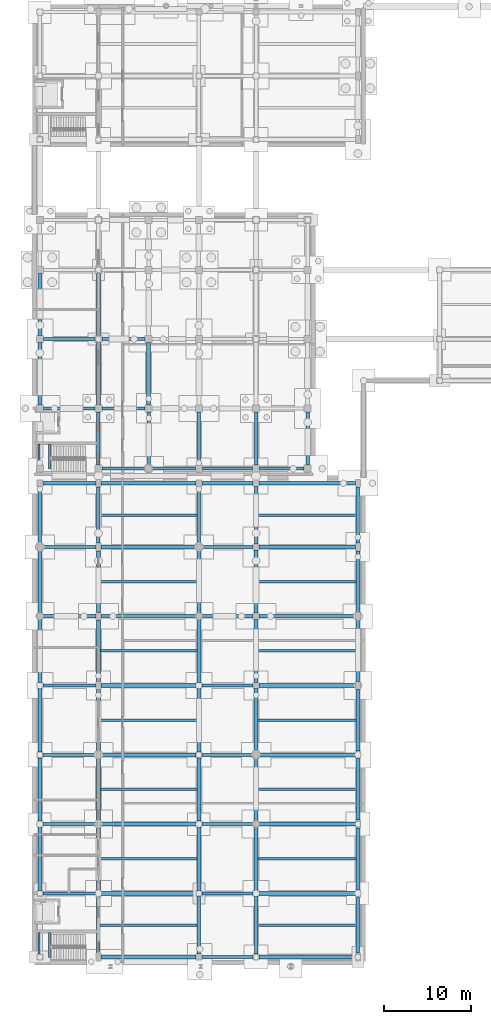
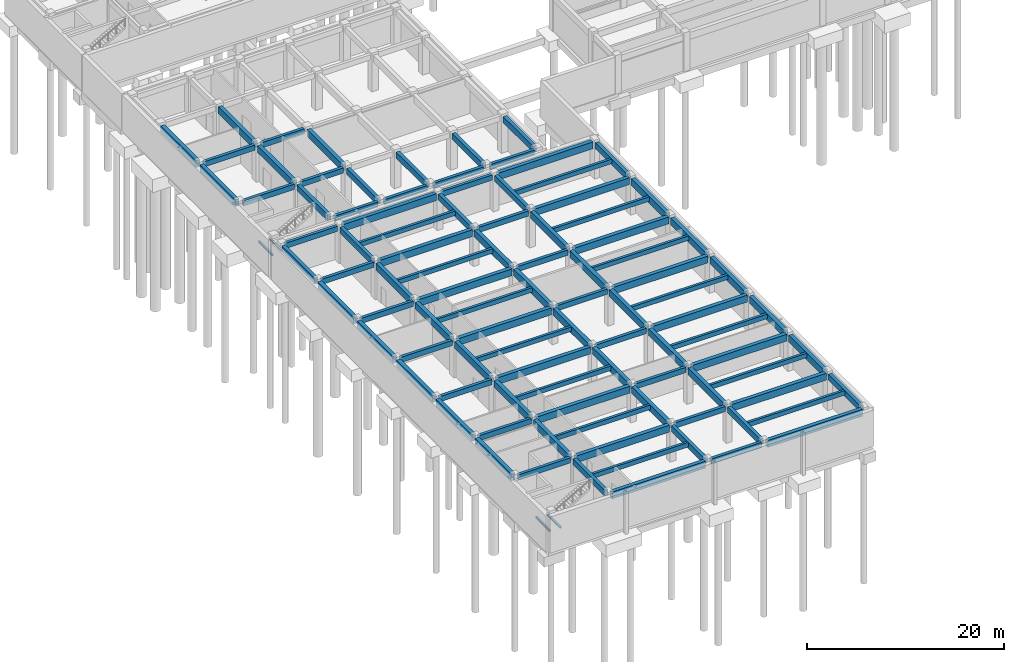
# One storey, part 16 of 35: 101 beams.
"""IFC4 building model written with IfcOpenShell, lengths in metres."""

from ifc_helpers import new_model, si_unit, direction, frame, origin, origin_2d, place, context, subcontext, project, spatial, rectangle, i_section, extrude, material, material_profile, profile_set, type_object, element, save


model = new_model("IFC4")

# Units and contexts
model_context = context("Model", 3, precision=1e-05, world=origin(), true_north=direction((0.0, 1.0)))
body_context = subcontext(model_context, "Body", "Model", "MODEL_VIEW")
ifc_project = project(units=[si_unit("LENGTHUNIT", "METRE"), si_unit("AREAUNIT", "SQUARE_METRE"), si_unit("VOLUMEUNIT", "CUBIC_METRE"), si_unit("PLANEANGLEUNIT", "RADIAN"), si_unit("MASSUNIT", "GRAM", prefix="KILO")], contexts=[model_context])

# Site, building, storey
site_placement = place(None, origin())
site = spatial("IfcSite", under=ifc_project, at=site_placement, CompositionType="ELEMENT")
building_placement = place(site_placement, origin())
building = spatial("IfcBuilding", under=site, at=building_placement, Name="Cinchona Park Media Centre", CompositionType="ELEMENT")
storey_placement = place(building_placement, frame((0.0, 0.0, -4.800048828125)))
storey = spatial("IfcBuildingStorey", under=building, at=storey_placement, Name="B1", CompositionType="ELEMENT", Elevation=-4.800048828125)

# Beams
ifc_material_1 = material(Name="Concrete C35/45", Category="concrete")
ifc_material_profile_1 = material_profile(ifc_material_1, rectangle(XDim=0.39990234375, YDim=0.75, at=origin_2d()), Name="RB 400X750")
ifc_profile_set_1 = profile_set([ifc_material_profile_1], Name="Concrete C35/45")
beam_type_1 = type_object("IfcBeamType", Name="BEAM-B01-RB400X750", PredefinedType="BEAM", material=ifc_profile_set_1)
beam_1_placement = place(storey_placement, frame((8.639892578125, 55.949951171875, 4.125), z_axis=(0.0, 1.0, 0.0), x_axis=(-1.0, 0.0, 0.0)))
element("IfcBeam", 1, at=beam_1_placement, inside=storey, type_object=beam_type_1, Name="Girder B01 B1", PredefinedType="BEAM", context=body_context, shape_type="SweptSolid", body=[
    extrude(rectangle(XDim=0.39990234375, YDim=0.75, at=origin_2d()), origin(), (0.0, 0.0, 1.0), 6.66015625),
])
for number, where, z_axis, x_axis, name in (
    (2, (15.39990234375, 8.68994140625, 4.125), (0.0, 1.0, 0.0), (-1.0, 0.0, 0.0), "Girder B01 B1"),
    (3, (15.39990234375, 56.050048828125, 4.125), (0.0, 1.0, 0.0), (-1.0, 0.0, 0.0), "Girder B01 B1"),
):
    element("IfcBeam", number, at=place(storey_placement, frame(where, z_axis=z_axis, x_axis=x_axis)), inside=storey, type_object=beam_type_1, Name=name, PredefinedType="BEAM", context=body_context, shape_type="SweptSolid", body=[
        extrude(rectangle(XDim=0.39990234375, YDim=0.75, at=origin_2d()), origin(), (0.0, 0.0, 1.0), 6.4599609375),
    ])
beam_2_placement = place(storey_placement, frame((27.0, 8.590087890625, 4.125), z_axis=(0.0, 1.0, 0.0), x_axis=(-1.0, 0.0, 0.0)))
element("IfcBeam", 4, at=beam_2_placement, inside=storey, type_object=beam_type_1, Name="Girder B01 B1", PredefinedType="BEAM", context=body_context, shape_type="SweptSolid", body=[
    extrude(rectangle(XDim=0.39990234375, YDim=0.75, at=origin_2d()), origin(), (0.0, 0.0, 1.0), 6.659912109375),
])
beam_3_placement = place(storey_placement, frame((27.0, 55.949951171875, 4.125), z_axis=(0.0, 1.0, 0.0), x_axis=(-1.0, 0.0, 0.0)))
element("IfcBeam", 5, at=beam_3_placement, inside=storey, type_object=beam_type_1, Name="Girder B01 B1", PredefinedType="BEAM", context=body_context, shape_type="SweptSolid", body=[
    extrude(rectangle(XDim=0.39990234375, YDim=0.75, at=origin_2d()), origin(), (0.0, 0.0, 1.0), 6.66015625),
])
beam_4_placement = place(storey_placement, frame((33.60009765625, 8.590087890625, 4.125), z_axis=(0.0, 1.0, 0.0), x_axis=(-1.0, 0.0, 0.0)))
element("IfcBeam", 6, at=beam_4_placement, inside=storey, type_object=beam_type_1, Name="Girder B01 B1", PredefinedType="BEAM", context=body_context, shape_type="SweptSolid", body=[
    extrude(rectangle(XDim=0.39990234375, YDim=0.75, at=origin_2d()), origin(), (0.0, 0.0, 1.0), 6.659912109375),
])
beam_5_placement = place(storey_placement, frame((33.60009765625, 55.949951171875, 4.125), z_axis=(0.0, 1.0, 0.0), x_axis=(-1.0, 0.0, 0.0)))
element("IfcBeam", 7, at=beam_5_placement, inside=storey, type_object=beam_type_1, Name="Girder B01 B1", PredefinedType="BEAM", context=body_context, shape_type="SweptSolid", body=[
    extrude(rectangle(XDim=0.39990234375, YDim=0.75, at=origin_2d()), origin(), (0.0, 0.0, 1.0), 6.66015625),
])
for number, where, z_axis, x_axis, name in (
    (8, (45.360107421875, 8.68994140625, 4.125), (0.0, 1.0, 0.0), (-1.0, 0.0, 0.0), "Girder B01 B1"),
    (9, (45.360107421875, 56.050048828125, 4.125), (0.0, 1.0, 0.0), (-1.0, 0.0, 0.0), "Girder B01 B1"),
):
    element("IfcBeam", number, at=place(storey_placement, frame(where, z_axis=z_axis, x_axis=x_axis)), inside=storey, type_object=beam_type_1, Name=name, PredefinedType="BEAM", context=body_context, shape_type="SweptSolid", body=[
        extrude(rectangle(XDim=0.39990234375, YDim=0.75, at=origin_2d()), origin(), (0.0, 0.0, 1.0), 6.4599609375),
    ])
for number, where, z_axis, x_axis, name in (
    (10, (15.39990234375, 65.0400390625, 4.125), (0.0, 1.0, 0.0), (-1.0, 0.0, 0.0), "Girder B01 B1"),
    (11, (21.199951171875, 65.0400390625, 4.125), (0.0, 1.0, 0.0), (-1.0, 0.0, 0.0), "Girder B01 B1"),
    (12, (27.0, 65.0400390625, 4.125), (0.0, 1.0, 0.0), (-1.0, 0.0, 0.0), "Girder B01 B1"),
    (13, (33.60009765625, 65.0400390625, 4.125), (0.0, 1.0, 0.0), (-1.0, 0.0, 0.0), "Girder B01 B1"),
    (14, (39.56005859375, 65.0400390625, 4.125), (0.0, 1.0, 0.0), (-1.0, 0.0, 0.0), "Girder B01 B1"),
):
    element("IfcBeam", number, at=place(storey_placement, frame(where, z_axis=z_axis, x_axis=x_axis)), inside=storey, type_object=beam_type_1, Name=name, PredefinedType="BEAM", context=body_context, shape_type="SweptSolid", body=[
        extrude(rectangle(XDim=0.39990234375, YDim=0.75, at=origin_2d()), origin(), (0.0, 0.0, 1.0), 6.159912109375),
    ])
ifc_material_2 = material(Name="Concrete C35/45", Category="concrete")
ifc_material_profile_2 = material_profile(ifc_material_2, rectangle(XDim=0.449951171875, YDim=0.85009765625, at=origin_2d()), Name="RB 450X850")
ifc_profile_set_2 = profile_set([ifc_material_profile_2], Name="Concrete C35/45")
beam_type_2 = type_object("IfcBeamType", Name="BEAM-B02-RB450X850", PredefinedType="BEAM", material=ifc_profile_set_2)
beam_6_placement = place(storey_placement, frame((15.699951171875, 8.239990234375, 4.074951171875), z_axis=(1.0, 0.0, 0.0), x_axis=(0.0, 1.0, 0.0)))
element("IfcBeam", 15, at=beam_6_placement, inside=storey, type_object=beam_type_2, Name="Beam B02 B1", PredefinedType="BEAM", context=body_context, shape_type="SweptSolid", body=[
    extrude(rectangle(XDim=0.449951171875, YDim=0.85009765625, at=origin_2d()), origin(), (0.0, 0.0, 1.0), 10.949951171875),
])
beam_7_placement = place(storey_placement, frame((33.949951171875, 8.239990234375, 4.074951171875), z_axis=(1.0, 0.0, 0.0), x_axis=(0.0, 1.0, 0.0)))
element("IfcBeam", 16, at=beam_7_placement, inside=storey, type_object=beam_type_2, Name="Beam B02 B1", PredefinedType="BEAM", context=body_context, shape_type="SweptSolid", body=[
    extrude(rectangle(XDim=0.449951171875, YDim=0.85009765625, at=origin_2d()), origin(), (0.0, 0.0, 1.0), 11.110107421875),
])
beam_8_placement = place(storey_placement, frame((15.699951171875, 15.60009765625, 4.074951171875), z_axis=(1.0, 0.0, 0.0), x_axis=(0.0, 1.0, 0.0)))
element("IfcBeam", 17, at=beam_8_placement, inside=storey, type_object=beam_type_2, Name="Beam B02 B1", PredefinedType="BEAM", context=body_context, shape_type="SweptSolid", body=[
    extrude(rectangle(XDim=0.449951171875, YDim=0.85009765625, at=origin_2d()), origin(), (0.0, 0.0, 1.0), 10.949951171875),
])
beam_9_placement = place(storey_placement, frame((33.949951171875, 15.60009765625, 4.074951171875), z_axis=(1.0, 0.0, 0.0), x_axis=(0.0, 1.0, 0.0)))
element("IfcBeam", 18, at=beam_9_placement, inside=storey, type_object=beam_type_2, Name="Beam B02 B1", PredefinedType="BEAM", context=body_context, shape_type="SweptSolid", body=[
    extrude(rectangle(XDim=0.449951171875, YDim=0.85009765625, at=origin_2d()), origin(), (0.0, 0.0, 1.0), 11.110107421875),
])
beam_10_placement = place(storey_placement, frame((15.699951171875, 23.60009765625, 4.074951171875), z_axis=(1.0, 0.0, 0.0), x_axis=(0.0, 1.0, 0.0)))
element("IfcBeam", 19, at=beam_10_placement, inside=storey, type_object=beam_type_2, Name="Beam B02 B1", PredefinedType="BEAM", context=body_context, shape_type="SweptSolid", body=[
    extrude(rectangle(XDim=0.449951171875, YDim=0.85009765625, at=origin_2d()), origin(), (0.0, 0.0, 1.0), 10.949951171875),
])
beam_11_placement = place(storey_placement, frame((33.949951171875, 23.60009765625, 4.074951171875), z_axis=(1.0, 0.0, 0.0), x_axis=(0.0, 1.0, 0.0)))
element("IfcBeam", 20, at=beam_11_placement, inside=storey, type_object=beam_type_2, Name="Beam B02 B1", PredefinedType="BEAM", context=body_context, shape_type="SweptSolid", body=[
    extrude(rectangle(XDim=0.449951171875, YDim=0.85009765625, at=origin_2d()), origin(), (0.0, 0.0, 1.0), 11.110107421875),
])
beam_12_placement = place(storey_placement, frame((15.699951171875, 31.60009765625, 4.074951171875), z_axis=(1.0, 0.0, 0.0), x_axis=(0.0, 1.0, 0.0)))
element("IfcBeam", 21, at=beam_12_placement, inside=storey, type_object=beam_type_2, Name="Beam B02 B1", PredefinedType="BEAM", context=body_context, shape_type="SweptSolid", body=[
    extrude(rectangle(XDim=0.449951171875, YDim=0.85009765625, at=origin_2d()), origin(), (0.0, 0.0, 1.0), 10.949951171875),
])
beam_13_placement = place(storey_placement, frame((33.949951171875, 31.60009765625, 4.074951171875), z_axis=(1.0, 0.0, 0.0), x_axis=(0.0, 1.0, 0.0)))
element("IfcBeam", 22, at=beam_13_placement, inside=storey, type_object=beam_type_2, Name="Beam B02 B1", PredefinedType="BEAM", context=body_context, shape_type="SweptSolid", body=[
    extrude(rectangle(XDim=0.449951171875, YDim=0.85009765625, at=origin_2d()), origin(), (0.0, 0.0, 1.0), 11.110107421875),
])
beam_14_placement = place(storey_placement, frame((15.699951171875, 39.60009765625, 4.074951171875), z_axis=(1.0, 0.0, 0.0), x_axis=(0.0, 1.0, 0.0)))
element("IfcBeam", 23, at=beam_14_placement, inside=storey, type_object=beam_type_2, Name="Beam B02 B1", PredefinedType="BEAM", context=body_context, shape_type="SweptSolid", body=[
    extrude(rectangle(XDim=0.449951171875, YDim=0.85009765625, at=origin_2d()), origin(), (0.0, 0.0, 1.0), 10.949951171875),
])
beam_15_placement = place(storey_placement, frame((33.949951171875, 39.60009765625, 4.074951171875), z_axis=(1.0, 0.0, 0.0), x_axis=(0.0, 1.0, 0.0)))
element("IfcBeam", 24, at=beam_15_placement, inside=storey, type_object=beam_type_2, Name="Beam B02 B1", PredefinedType="BEAM", context=body_context, shape_type="SweptSolid", body=[
    extrude(rectangle(XDim=0.449951171875, YDim=0.85009765625, at=origin_2d()), origin(), (0.0, 0.0, 1.0), 11.110107421875),
])
beam_16_placement = place(storey_placement, frame((15.699951171875, 47.60009765625, 4.074951171875), z_axis=(1.0, 0.0, 0.0), x_axis=(0.0, 1.0, 0.0)))
element("IfcBeam", 25, at=beam_16_placement, inside=storey, type_object=beam_type_2, Name="Beam B02 B1", PredefinedType="BEAM", context=body_context, shape_type="SweptSolid", body=[
    extrude(rectangle(XDim=0.449951171875, YDim=0.85009765625, at=origin_2d()), origin(), (0.0, 0.0, 1.0), 10.949951171875),
])
beam_17_placement = place(storey_placement, frame((33.949951171875, 47.60009765625, 4.074951171875), z_axis=(1.0, 0.0, 0.0), x_axis=(0.0, 1.0, 0.0)))
element("IfcBeam", 26, at=beam_17_placement, inside=storey, type_object=beam_type_2, Name="Beam B02 B1", PredefinedType="BEAM", context=body_context, shape_type="SweptSolid", body=[
    extrude(rectangle(XDim=0.449951171875, YDim=0.85009765625, at=origin_2d()), origin(), (0.0, 0.0, 1.0), 11.110107421875),
])
beam_18_placement = place(storey_placement, frame((15.699951171875, 55.60009765625, 4.074951171875), z_axis=(1.0, 0.0, 0.0), x_axis=(0.0, 1.0, 0.0)))
element("IfcBeam", 27, at=beam_18_placement, inside=storey, type_object=beam_type_2, Name="Beam B02 B1", PredefinedType="BEAM", context=body_context, shape_type="SweptSolid", body=[
    extrude(rectangle(XDim=0.449951171875, YDim=0.85009765625, at=origin_2d()), origin(), (0.0, 0.0, 1.0), 10.949951171875),
])
beam_19_placement = place(storey_placement, frame((33.949951171875, 55.60009765625, 4.074951171875), z_axis=(1.0, 0.0, 0.0), x_axis=(0.0, 1.0, 0.0)))
element("IfcBeam", 28, at=beam_19_placement, inside=storey, type_object=beam_type_2, Name="Beam B02 B1", PredefinedType="BEAM", context=body_context, shape_type="SweptSolid", body=[
    extrude(rectangle(XDim=0.449951171875, YDim=0.85009765625, at=origin_2d()), origin(), (0.0, 0.0, 1.0), 11.110107421875),
])
beam_20_placement = place(storey_placement, frame((15.699951171875, 62.9599609375, 4.074951171875), z_axis=(1.0, 0.0, 0.0), x_axis=(0.0, 1.0, 0.0)))
element("IfcBeam", 29, at=beam_20_placement, inside=storey, type_object=beam_type_2, Name="Beam B02 B1", PredefinedType="BEAM", context=body_context, shape_type="SweptSolid", body=[
    extrude(rectangle(XDim=0.449951171875, YDim=0.85009765625, at=origin_2d()), origin(), (0.0, 0.0, 1.0), 10.949951171875),
])
beam_21_placement = place(storey_placement, frame((33.949951171875, 62.9599609375, 4.074951171875), z_axis=(1.0, 0.0, 0.0), x_axis=(0.0, 1.0, 0.0)))
element("IfcBeam", 30, at=beam_21_placement, inside=storey, type_object=beam_type_2, Name="Beam B02 B1", PredefinedType="BEAM", context=body_context, shape_type="SweptSolid", body=[
    extrude(rectangle(XDim=0.449951171875, YDim=0.85009765625, at=origin_2d()), origin(), (0.0, 0.0, 1.0), 11.110107421875),
])
for number, where, z_axis, x_axis, name in (
    (31, (8.639892578125, 15.949951171875, 4.074951171875), (0.0, 1.0, 0.0), (-1.0, 0.0, 0.0), "Girder B02 B1"),
    (32, (8.639892578125, 23.949951171875, 4.074951171875), (0.0, 1.0, 0.0), (-1.0, 0.0, 0.0), "Girder B02 B1"),
    (33, (8.639892578125, 31.949951171875, 4.074951171875), (0.0, 1.0, 0.0), (-1.0, 0.0, 0.0), "Girder B02 B1"),
    (34, (8.639892578125, 39.949951171875, 4.074951171875), (0.0, 1.0, 0.0), (-1.0, 0.0, 0.0), "Girder B02 B1"),
    (35, (8.639892578125, 47.949951171875, 4.074951171875), (0.0, 1.0, 0.0), (-1.0, 0.0, 0.0), "Girder B02 B1"),
):
    element("IfcBeam", number, at=place(storey_placement, frame(where, z_axis=z_axis, x_axis=x_axis)), inside=storey, type_object=beam_type_2, Name=name, PredefinedType="BEAM", context=body_context, shape_type="SweptSolid", body=[
        extrude(rectangle(XDim=0.449951171875, YDim=0.85009765625, at=origin_2d()), origin(), (0.0, 0.0, 1.0), 7.300048828125),
    ])
for number, where, z_axis, x_axis, name in (
    (36, (15.39990234375, 16.050048828125, 4.074951171875), (0.0, 1.0, 0.0), (-1.0, 0.0, 0.0), "Girder B02 B1"),
    (37, (15.39990234375, 24.050048828125, 4.074951171875), (0.0, 1.0, 0.0), (-1.0, 0.0, 0.0), "Girder B02 B1"),
    (38, (15.39990234375, 32.050048828125, 4.074951171875), (0.0, 1.0, 0.0), (-1.0, 0.0, 0.0), "Girder B02 B1"),
    (39, (15.39990234375, 40.050048828125, 4.074951171875), (0.0, 1.0, 0.0), (-1.0, 0.0, 0.0), "Girder B02 B1"),
    (40, (15.39990234375, 48.050048828125, 4.074951171875), (0.0, 1.0, 0.0), (-1.0, 0.0, 0.0), "Girder B02 B1"),
):
    element("IfcBeam", number, at=place(storey_placement, frame(where, z_axis=z_axis, x_axis=x_axis)), inside=storey, type_object=beam_type_2, Name=name, PredefinedType="BEAM", context=body_context, shape_type="SweptSolid", body=[
        extrude(rectangle(XDim=0.449951171875, YDim=0.85009765625, at=origin_2d()), origin(), (0.0, 0.0, 1.0), 7.099853515625),
    ])
for number, where, z_axis, x_axis, name in (
    (41, (27.0, 15.949951171875, 4.074951171875), (0.0, 1.0, 0.0), (-1.0, 0.0, 0.0), "Girder B02 B1"),
    (42, (27.0, 23.949951171875, 4.074951171875), (0.0, 1.0, 0.0), (-1.0, 0.0, 0.0), "Girder B02 B1"),
    (43, (27.0, 31.949951171875, 4.074951171875), (0.0, 1.0, 0.0), (-1.0, 0.0, 0.0), "Girder B02 B1"),
    (44, (27.0, 39.949951171875, 4.074951171875), (0.0, 1.0, 0.0), (-1.0, 0.0, 0.0), "Girder B02 B1"),
    (45, (27.0, 47.949951171875, 4.074951171875), (0.0, 1.0, 0.0), (-1.0, 0.0, 0.0), "Girder B02 B1"),
    (46, (33.60009765625, 15.949951171875, 4.074951171875), (0.0, 1.0, 0.0), (-1.0, 0.0, 0.0), "Girder B02 B1"),
    (47, (33.60009765625, 23.949951171875, 4.074951171875), (0.0, 1.0, 0.0), (-1.0, 0.0, 0.0), "Girder B02 B1"),
    (48, (33.60009765625, 31.949951171875, 4.074951171875), (0.0, 1.0, 0.0), (-1.0, 0.0, 0.0), "Girder B02 B1"),
    (49, (33.60009765625, 39.949951171875, 4.074951171875), (0.0, 1.0, 0.0), (-1.0, 0.0, 0.0), "Girder B02 B1"),
    (50, (33.60009765625, 47.949951171875, 4.074951171875), (0.0, 1.0, 0.0), (-1.0, 0.0, 0.0), "Girder B02 B1"),
):
    element("IfcBeam", number, at=place(storey_placement, frame(where, z_axis=z_axis, x_axis=x_axis)), inside=storey, type_object=beam_type_2, Name=name, PredefinedType="BEAM", context=body_context, shape_type="SweptSolid", body=[
        extrude(rectangle(XDim=0.449951171875, YDim=0.85009765625, at=origin_2d()), origin(), (0.0, 0.0, 1.0), 7.300048828125),
    ])
for number, where, z_axis, x_axis, name in (
    (51, (45.360107421875, 16.050048828125, 4.074951171875), (0.0, 1.0, 0.0), (-1.0, 0.0, 0.0), "Girder B02 B1"),
    (52, (45.360107421875, 24.050048828125, 4.074951171875), (0.0, 1.0, 0.0), (-1.0, 0.0, 0.0), "Girder B02 B1"),
    (53, (45.360107421875, 32.050048828125, 4.074951171875), (0.0, 1.0, 0.0), (-1.0, 0.0, 0.0), "Girder B02 B1"),
    (54, (45.360107421875, 40.050048828125, 4.074951171875), (0.0, 1.0, 0.0), (-1.0, 0.0, 0.0), "Girder B02 B1"),
    (55, (45.360107421875, 48.050048828125, 4.074951171875), (0.0, 1.0, 0.0), (-1.0, 0.0, 0.0), "Girder B02 B1"),
):
    element("IfcBeam", number, at=place(storey_placement, frame(where, z_axis=z_axis, x_axis=x_axis)), inside=storey, type_object=beam_type_2, Name=name, PredefinedType="BEAM", context=body_context, shape_type="SweptSolid", body=[
        extrude(rectangle(XDim=0.449951171875, YDim=0.85009765625, at=origin_2d()), origin(), (0.0, 0.0, 1.0), 7.099853515625),
    ])
for number, where, z_axis, x_axis, name in (
    (56, (8.639892578125, 72.0, 4.074951171875), (0.0, 1.0, 0.0), (-1.0, 0.0, 0.0), "Girder B02 B1"),
    (57, (8.639892578125, 80.0, 4.074951171875), (0.0, 1.0, 0.0), (-1.0, 0.0, 0.0), "Girder B02 B1"),
    (58, (15.39990234375, 72.0, 4.074951171875), (0.0, 1.0, 0.0), (-1.0, 0.0, 0.0), "Girder B02 B1"),
    (59, (15.39990234375, 80.0, 4.074951171875), (0.0, 1.0, 0.0), (-1.0, 0.0, 0.0), "Girder B02 B1"),
    (60, (21.199951171875, 72.0, 4.074951171875), (0.0, 1.0, 0.0), (-1.0, 0.0, 0.0), "Girder B02 B1"),
):
    element("IfcBeam", number, at=place(storey_placement, frame(where, z_axis=z_axis, x_axis=x_axis)), inside=storey, type_object=beam_type_2, Name=name, PredefinedType="BEAM", context=body_context, shape_type="SweptSolid", body=[
        extrude(rectangle(XDim=0.449951171875, YDim=0.85009765625, at=origin_2d()), origin(), (0.0, 0.0, 1.0), 7.199951171875),
    ])
ifc_material_3 = material(Name="Concrete C35/45", Category="concrete")
ifc_material_profile_3 = material_profile(ifc_material_3, rectangle(XDim=0.35009765625, YDim=0.64990234375, at=origin_2d()), Name="RB 350X650")
ifc_profile_set_3 = profile_set([ifc_material_profile_3], Name="Concrete C35/45")
beam_type_3 = type_object("IfcBeamType", Name="BEAM-B04-RB350X650", PredefinedType="BEAM", material=ifc_profile_set_3)
beam_22_placement = place(storey_placement, frame((27.35009765625, 8.239990234375, 4.175048828125), z_axis=(1.0, 0.0, 0.0), x_axis=(0.0, 1.0, 0.0)))
element("IfcBeam", 61, at=beam_22_placement, inside=storey, type_object=beam_type_3, Name="Beam B04 B1", PredefinedType="BEAM", context=body_context, shape_type="SweptSolid", body=[
    extrude(rectangle(XDim=0.35009765625, YDim=0.64990234375, at=origin_2d()), origin(), (0.0, 0.0, 1.0), 5.89990234375),
])
beam_23_placement = place(storey_placement, frame((8.989990234375, 15.60009765625, 4.175048828125), z_axis=(1.0, 0.0, 0.0), x_axis=(0.0, 1.0, 0.0)))
element("IfcBeam", 62, at=beam_23_placement, inside=storey, type_object=beam_type_3, Name="Beam B04 B1", PredefinedType="BEAM", context=body_context, shape_type="SweptSolid", body=[
    extrude(rectangle(XDim=0.35009765625, YDim=0.64990234375, at=origin_2d()), origin(), (0.0, 0.0, 1.0), 6.110107421875),
])
beam_24_placement = place(storey_placement, frame((27.35009765625, 15.60009765625, 4.175048828125), z_axis=(1.0, 0.0, 0.0), x_axis=(0.0, 1.0, 0.0)))
element("IfcBeam", 63, at=beam_24_placement, inside=storey, type_object=beam_type_3, Name="Beam B04 B1", PredefinedType="BEAM", context=body_context, shape_type="SweptSolid", body=[
    extrude(rectangle(XDim=0.35009765625, YDim=0.64990234375, at=origin_2d()), origin(), (0.0, 0.0, 1.0), 5.89990234375),
])
beam_25_placement = place(storey_placement, frame((8.989990234375, 23.60009765625, 4.175048828125), z_axis=(1.0, 0.0, 0.0), x_axis=(0.0, 1.0, 0.0)))
element("IfcBeam", 64, at=beam_25_placement, inside=storey, type_object=beam_type_3, Name="Beam B04 B1", PredefinedType="BEAM", context=body_context, shape_type="SweptSolid", body=[
    extrude(rectangle(XDim=0.35009765625, YDim=0.64990234375, at=origin_2d()), origin(), (0.0, 0.0, 1.0), 6.110107421875),
])
beam_26_placement = place(storey_placement, frame((27.35009765625, 23.60009765625, 4.175048828125), z_axis=(1.0, 0.0, 0.0), x_axis=(0.0, 1.0, 0.0)))
element("IfcBeam", 65, at=beam_26_placement, inside=storey, type_object=beam_type_3, Name="Beam B04 B1", PredefinedType="BEAM", context=body_context, shape_type="SweptSolid", body=[
    extrude(rectangle(XDim=0.35009765625, YDim=0.64990234375, at=origin_2d()), origin(), (0.0, 0.0, 1.0), 5.89990234375),
])
beam_27_placement = place(storey_placement, frame((8.989990234375, 31.60009765625, 4.175048828125), z_axis=(1.0, 0.0, 0.0), x_axis=(0.0, 1.0, 0.0)))
element("IfcBeam", 66, at=beam_27_placement, inside=storey, type_object=beam_type_3, Name="Beam B04 B1", PredefinedType="BEAM", context=body_context, shape_type="SweptSolid", body=[
    extrude(rectangle(XDim=0.35009765625, YDim=0.64990234375, at=origin_2d()), origin(), (0.0, 0.0, 1.0), 6.110107421875),
])
beam_28_placement = place(storey_placement, frame((27.35009765625, 31.60009765625, 4.175048828125), z_axis=(1.0, 0.0, 0.0), x_axis=(0.0, 1.0, 0.0)))
element("IfcBeam", 67, at=beam_28_placement, inside=storey, type_object=beam_type_3, Name="Beam B04 B1", PredefinedType="BEAM", context=body_context, shape_type="SweptSolid", body=[
    extrude(rectangle(XDim=0.35009765625, YDim=0.64990234375, at=origin_2d()), origin(), (0.0, 0.0, 1.0), 5.89990234375),
])
beam_29_placement = place(storey_placement, frame((8.989990234375, 39.60009765625, 4.175048828125), z_axis=(1.0, 0.0, 0.0), x_axis=(0.0, 1.0, 0.0)))
element("IfcBeam", 68, at=beam_29_placement, inside=storey, type_object=beam_type_3, Name="Beam B04 B1", PredefinedType="BEAM", context=body_context, shape_type="SweptSolid", body=[
    extrude(rectangle(XDim=0.35009765625, YDim=0.64990234375, at=origin_2d()), origin(), (0.0, 0.0, 1.0), 6.110107421875),
])
beam_30_placement = place(storey_placement, frame((27.35009765625, 39.60009765625, 4.175048828125), z_axis=(1.0, 0.0, 0.0), x_axis=(0.0, 1.0, 0.0)))
element("IfcBeam", 69, at=beam_30_placement, inside=storey, type_object=beam_type_3, Name="Beam B04 B1", PredefinedType="BEAM", context=body_context, shape_type="SweptSolid", body=[
    extrude(rectangle(XDim=0.35009765625, YDim=0.64990234375, at=origin_2d()), origin(), (0.0, 0.0, 1.0), 5.89990234375),
])
beam_31_placement = place(storey_placement, frame((8.989990234375, 47.60009765625, 4.175048828125), z_axis=(1.0, 0.0, 0.0), x_axis=(0.0, 1.0, 0.0)))
element("IfcBeam", 70, at=beam_31_placement, inside=storey, type_object=beam_type_3, Name="Beam B04 B1", PredefinedType="BEAM", context=body_context, shape_type="SweptSolid", body=[
    extrude(rectangle(XDim=0.35009765625, YDim=0.64990234375, at=origin_2d()), origin(), (0.0, 0.0, 1.0), 6.110107421875),
])
beam_32_placement = place(storey_placement, frame((27.35009765625, 47.60009765625, 4.175048828125), z_axis=(1.0, 0.0, 0.0), x_axis=(0.0, 1.0, 0.0)))
element("IfcBeam", 71, at=beam_32_placement, inside=storey, type_object=beam_type_3, Name="Beam B04 B1", PredefinedType="BEAM", context=body_context, shape_type="SweptSolid", body=[
    extrude(rectangle(XDim=0.35009765625, YDim=0.64990234375, at=origin_2d()), origin(), (0.0, 0.0, 1.0), 5.89990234375),
])
beam_33_placement = place(storey_placement, frame((8.989990234375, 55.60009765625, 4.175048828125), z_axis=(1.0, 0.0, 0.0), x_axis=(0.0, 1.0, 0.0)))
element("IfcBeam", 72, at=beam_33_placement, inside=storey, type_object=beam_type_3, Name="Beam B04 B1", PredefinedType="BEAM", context=body_context, shape_type="SweptSolid", body=[
    extrude(rectangle(XDim=0.35009765625, YDim=0.64990234375, at=origin_2d()), origin(), (0.0, 0.0, 1.0), 6.110107421875),
])
beam_34_placement = place(storey_placement, frame((27.35009765625, 55.60009765625, 4.175048828125), z_axis=(1.0, 0.0, 0.0), x_axis=(0.0, 1.0, 0.0)))
element("IfcBeam", 73, at=beam_34_placement, inside=storey, type_object=beam_type_3, Name="Beam B04 B1", PredefinedType="BEAM", context=body_context, shape_type="SweptSolid", body=[
    extrude(rectangle(XDim=0.35009765625, YDim=0.64990234375, at=origin_2d()), origin(), (0.0, 0.0, 1.0), 5.89990234375),
])
beam_35_placement = place(storey_placement, frame((8.989990234375, 62.9599609375, 4.175048828125), z_axis=(1.0, 0.0, 0.0), x_axis=(0.0, 1.0, 0.0)))
element("IfcBeam", 74, at=beam_35_placement, inside=storey, type_object=beam_type_3, Name="Beam B04 B1", PredefinedType="BEAM", context=body_context, shape_type="SweptSolid", body=[
    extrude(rectangle(XDim=0.35009765625, YDim=0.64990234375, at=origin_2d()), origin(), (0.0, 0.0, 1.0), 6.110107421875),
])
beam_36_placement = place(storey_placement, frame((27.35009765625, 62.9599609375, 4.175048828125), z_axis=(1.0, 0.0, 0.0), x_axis=(0.0, 1.0, 0.0)))
element("IfcBeam", 75, at=beam_36_placement, inside=storey, type_object=beam_type_3, Name="Beam B04 B1", PredefinedType="BEAM", context=body_context, shape_type="SweptSolid", body=[
    extrude(rectangle(XDim=0.35009765625, YDim=0.64990234375, at=origin_2d()), origin(), (0.0, 0.0, 1.0), 5.89990234375),
])
for number, where, z_axis, x_axis, name in (
    (76, (15.800048828125, 64.639892578125, 4.175048828125), (1.0, 0.0, 0.0), (0.0, 1.0, 0.0), "Beam B04 B1"),
    (77, (21.60009765625, 64.639892578125, 4.175048828125), (1.0, 0.0, 0.0), (0.0, 1.0, 0.0), "Beam B04 B1"),
):
    element("IfcBeam", number, at=place(storey_placement, frame(where, z_axis=z_axis, x_axis=x_axis)), inside=storey, type_object=beam_type_3, Name=name, PredefinedType="BEAM", context=body_context, shape_type="SweptSolid", body=[
        extrude(rectangle(XDim=0.35009765625, YDim=0.64990234375, at=origin_2d()), origin(), (0.0, 0.0, 1.0), 5.0),
    ])
beam_37_placement = place(storey_placement, frame((27.39990234375, 64.639892578125, 4.175048828125), z_axis=(1.0, 0.0, 0.0), x_axis=(0.0, 1.0, 0.0)))
element("IfcBeam", 78, at=beam_37_placement, inside=storey, type_object=beam_type_3, Name="Beam B04 B1", PredefinedType="BEAM", context=body_context, shape_type="SweptSolid", body=[
    extrude(rectangle(XDim=0.35009765625, YDim=0.64990234375, at=origin_2d()), origin(), (0.0, 0.0, 1.0), 5.800048828125),
])
beam_38_placement = place(storey_placement, frame((34.0, 64.639892578125, 4.175048828125), z_axis=(1.0, 0.0, 0.0), x_axis=(0.0, 1.0, 0.0)))
element("IfcBeam", 79, at=beam_38_placement, inside=storey, type_object=beam_type_3, Name="Beam B04 B1", PredefinedType="BEAM", context=body_context, shape_type="SweptSolid", body=[
    extrude(rectangle(XDim=0.35009765625, YDim=0.64990234375, at=origin_2d()), origin(), (0.0, 0.0, 1.0), 5.159912109375),
])
beam_39_placement = place(storey_placement, frame((9.0400390625, 71.60009765625, 4.175048828125), z_axis=(1.0, 0.0, 0.0), x_axis=(0.0, 1.0, 0.0)))
element("IfcBeam", 80, at=beam_39_placement, inside=storey, type_object=beam_type_3, Name="Beam B04 B1", PredefinedType="BEAM", context=body_context, shape_type="SweptSolid", body=[
    extrude(rectangle(XDim=0.35009765625, YDim=0.64990234375, at=origin_2d()), origin(), (0.0, 0.0, 1.0), 5.9599609375),
])
beam_40_placement = place(storey_placement, frame((15.800048828125, 71.60009765625, 4.175048828125), z_axis=(1.0, 0.0, 0.0), x_axis=(0.0, 1.0, 0.0)))
element("IfcBeam", 81, at=beam_40_placement, inside=storey, type_object=beam_type_3, Name="Beam B04 B1", PredefinedType="BEAM", context=body_context, shape_type="SweptSolid", body=[
    extrude(rectangle(XDim=0.35009765625, YDim=0.64990234375, at=origin_2d()), origin(), (0.0, 0.0, 1.0), 5.0),
])
beam_41_placement = place(storey_placement, frame((9.0400390625, 79.60009765625, 4.175048828125), z_axis=(1.0, 0.0, 0.0), x_axis=(0.0, 1.0, 0.0)))
element("IfcBeam", 82, at=beam_41_placement, inside=storey, type_object=beam_type_3, Name="Beam B04 B1", PredefinedType="BEAM", context=body_context, shape_type="SweptSolid", body=[
    extrude(rectangle(XDim=0.35009765625, YDim=0.64990234375, at=origin_2d()), origin(), (0.0, 0.0, 1.0), 5.9599609375),
])
beam_42_placement = place(storey_placement, frame((15.800048828125, 79.60009765625, 4.175048828125), z_axis=(1.0, 0.0, 0.0), x_axis=(0.0, 1.0, 0.0)))
element("IfcBeam", 83, at=beam_42_placement, inside=storey, type_object=beam_type_3, Name="Beam B04 B1", PredefinedType="BEAM", context=body_context, shape_type="SweptSolid", body=[
    extrude(rectangle(XDim=0.35009765625, YDim=0.64990234375, at=origin_2d()), origin(), (0.0, 0.0, 1.0), 5.0),
])
ifc_material_4 = material(Name="Steel S355", Category="steel")
ifc_material_profile_4 = material_profile(ifc_material_4, i_section(OverallWidth=0.202880859375, OverallDepth=0.202880859375, WebThickness=0.007080078125, FlangeThickness=0.010986328125, at=origin_2d()), Name="W200X46")
ifc_profile_set_4 = profile_set([ifc_material_profile_4], Name="Steel S355")
beam_type_4 = type_object("IfcBeamType", Name="BEAM-B10-W200X46", PredefinedType="BEAM", material=ifc_profile_set_4)
for number, where, z_axis, x_axis, name in (
    (84, (8.5400390625, 67.469970703125, 2.093505859375), (0.0, -1.0, 0.0), (1.0, 0.0, 0.0), "Stair Landing Bearer Beam B10 ST3 B1"),
    (85, (9.760009765625, 67.469970703125, 2.093505859375), (0.0, -1.0, 0.0), (1.0, 0.0, 0.0), "Stair Landing Bearer Beam B10 ST3 B1"),
):
    element("IfcBeam", number, at=place(storey_placement, frame(where, z_axis=z_axis, x_axis=x_axis)), inside=storey, type_object=beam_type_4, Name=name, PredefinedType="BEAM", context=body_context, shape_type="SweptSolid", body=[
        extrude(i_section(OverallWidth=0.202880859375, OverallDepth=0.202880859375, WebThickness=0.007080078125, FlangeThickness=0.010986328125, at=origin_2d()), origin(), (0.0, 0.0, 1.0), 2.869873046875),
    ])
for number, where, z_axis, x_axis, name in (
    (86, (8.5400390625, 11.070068359375, 2.093505859375), (0.0, -1.0, 0.0), (1.0, 0.0, 0.0), "Stair Landing Bearer Beam B10 ST6 B1"),
    (87, (9.760009765625, 11.070068359375, 2.093505859375), (0.0, -1.0, 0.0), (1.0, 0.0, 0.0), "Stair Landing Bearer Beam B10 ST6 B1"),
):
    element("IfcBeam", number, at=place(storey_placement, frame(where, z_axis=z_axis, x_axis=x_axis)), inside=storey, type_object=beam_type_4, Name=name, PredefinedType="BEAM", context=body_context, shape_type="SweptSolid", body=[
        extrude(i_section(OverallWidth=0.202880859375, OverallDepth=0.202880859375, WebThickness=0.007080078125, FlangeThickness=0.010986328125, at=origin_2d()), origin(), (0.0, 0.0, 1.0), 2.8701171875),
    ])
ifc_material_5 = material(Name="Concrete C35/45", Category="concrete")
ifc_material_profile_5 = material_profile(ifc_material_5, rectangle(XDim=0.300048828125, YDim=0.550048828125, at=origin_2d()), Name="RB 300X550")
ifc_profile_set_5 = profile_set([ifc_material_profile_5], Name="Concrete C35/45")
beam_type_5 = type_object("IfcBeamType", Name="BEAM-J01-RB300X550", PredefinedType="JOIST", material=ifc_profile_set_5)
beam_43_placement = place(storey_placement, frame((15.60009765625, 11.919921875, 4.22509765625), z_axis=(1.0, 0.0, 0.0), x_axis=(0.0, 1.0, 0.0)))
element("IfcBeam", 88, at=beam_43_placement, inside=storey, type_object=beam_type_5, Name="Floor Joist J01 B1", PredefinedType="JOIST", context=body_context, shape_type="SweptSolid", body=[
    extrude(rectangle(XDim=0.300048828125, YDim=0.550048828125, at=origin_2d()), origin(), (0.0, 0.0, 1.0), 11.199951171875),
])
for number, where, z_axis, x_axis, name in (
    (89, (15.625, 19.60009765625, 4.22509765625), (1.0, 0.0, 0.0), (0.0, 1.0, 0.0), "Floor Joist J01 B1"),
    (90, (15.625, 27.60009765625, 4.22509765625), (1.0, 0.0, 0.0), (0.0, 1.0, 0.0), "Floor Joist J01 B1"),
    (91, (15.625, 35.60009765625, 4.22509765625), (1.0, 0.0, 0.0), (0.0, 1.0, 0.0), "Floor Joist J01 B1"),
    (92, (15.625, 43.60009765625, 4.22509765625), (1.0, 0.0, 0.0), (0.0, 1.0, 0.0), "Floor Joist J01 B1"),
    (93, (15.625, 51.60009765625, 4.22509765625), (1.0, 0.0, 0.0), (0.0, 1.0, 0.0), "Floor Joist J01 B1"),
):
    element("IfcBeam", number, at=place(storey_placement, frame(where, z_axis=z_axis, x_axis=x_axis)), inside=storey, type_object=beam_type_5, Name=name, PredefinedType="JOIST", context=body_context, shape_type="SweptSolid", body=[
        extrude(rectangle(XDim=0.300048828125, YDim=0.550048828125, at=origin_2d()), origin(), (0.0, 0.0, 1.0), 11.14990234375),
    ])
beam_44_placement = place(storey_placement, frame((15.60009765625, 59.280029296875, 4.22509765625), z_axis=(1.0, 0.0, 0.0), x_axis=(0.0, 1.0, 0.0)))
element("IfcBeam", 94, at=beam_44_placement, inside=storey, type_object=beam_type_5, Name="Floor Joist J01 B1", PredefinedType="JOIST", context=body_context, shape_type="SweptSolid", body=[
    extrude(rectangle(XDim=0.300048828125, YDim=0.550048828125, at=origin_2d()), origin(), (0.0, 0.0, 1.0), 11.199951171875),
])
beam_45_placement = place(storey_placement, frame((33.800048828125, 11.919921875, 4.22509765625), z_axis=(1.0, 0.0, 0.0), x_axis=(0.0, 1.0, 0.0)))
element("IfcBeam", 95, at=beam_45_placement, inside=storey, type_object=beam_type_5, Name="Floor Joist J01 B1", PredefinedType="JOIST", context=body_context, shape_type="SweptSolid", body=[
    extrude(rectangle(XDim=0.300048828125, YDim=0.550048828125, at=origin_2d()), origin(), (0.0, 0.0, 1.0), 11.35986328125),
])
for number, where, z_axis, x_axis, name in (
    (96, (33.824951171875, 19.60009765625, 4.22509765625), (1.0, 0.0, 0.0), (0.0, 1.0, 0.0), "Floor Joist J01 B1"),
    (97, (33.824951171875, 27.60009765625, 4.22509765625), (1.0, 0.0, 0.0), (0.0, 1.0, 0.0), "Floor Joist J01 B1"),
    (98, (33.824951171875, 35.60009765625, 4.22509765625), (1.0, 0.0, 0.0), (0.0, 1.0, 0.0), "Floor Joist J01 B1"),
    (99, (33.824951171875, 43.60009765625, 4.22509765625), (1.0, 0.0, 0.0), (0.0, 1.0, 0.0), "Floor Joist J01 B1"),
    (100, (33.824951171875, 51.60009765625, 4.22509765625), (1.0, 0.0, 0.0), (0.0, 1.0, 0.0), "Floor Joist J01 B1"),
):
    element("IfcBeam", number, at=place(storey_placement, frame(where, z_axis=z_axis, x_axis=x_axis)), inside=storey, type_object=beam_type_5, Name=name, PredefinedType="JOIST", context=body_context, shape_type="SweptSolid", body=[
        extrude(rectangle(XDim=0.300048828125, YDim=0.550048828125, at=origin_2d()), origin(), (0.0, 0.0, 1.0), 11.31005859375),
    ])
beam_46_placement = place(storey_placement, frame((33.800048828125, 59.280029296875, 4.22509765625), z_axis=(1.0, 0.0, 0.0), x_axis=(0.0, 1.0, 0.0)))
element("IfcBeam", 101, at=beam_46_placement, inside=storey, type_object=beam_type_5, Name="Floor Joist J01 B1", PredefinedType="JOIST", context=body_context, shape_type="SweptSolid", body=[
    extrude(rectangle(XDim=0.300048828125, YDim=0.550048828125, at=origin_2d()), origin(), (0.0, 0.0, 1.0), 11.35986328125),
])

save(model, "model.ifc")
